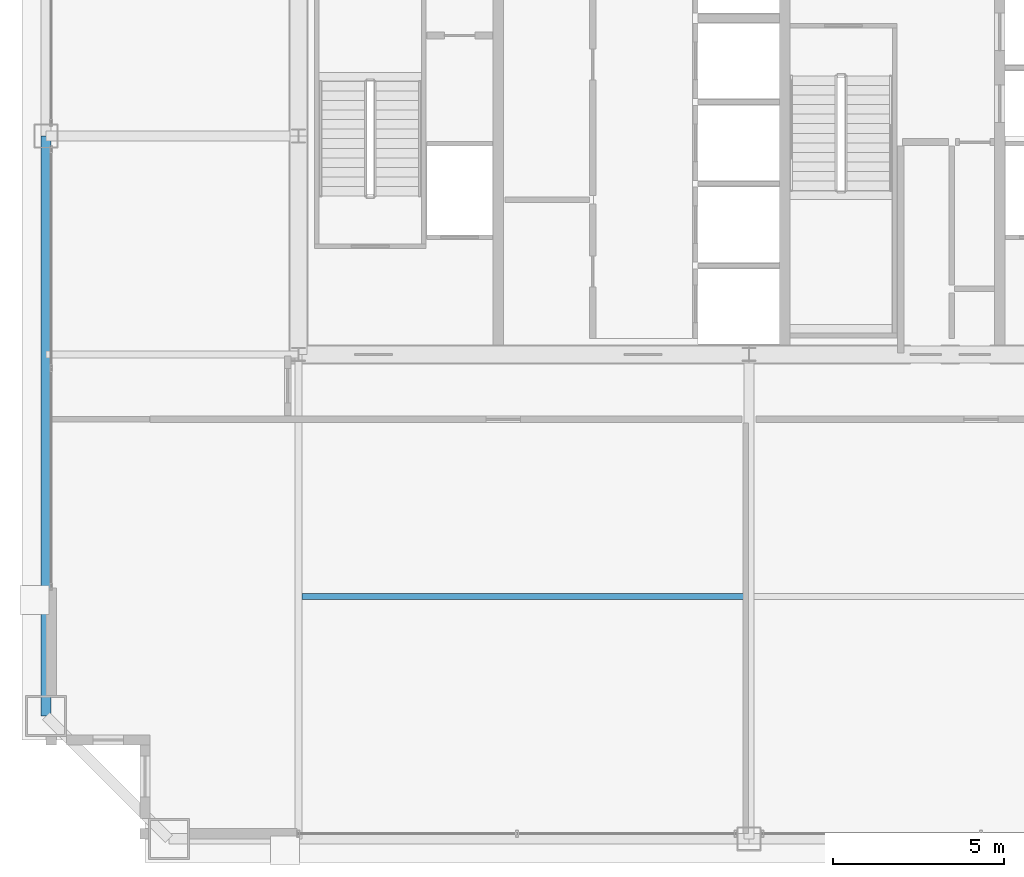
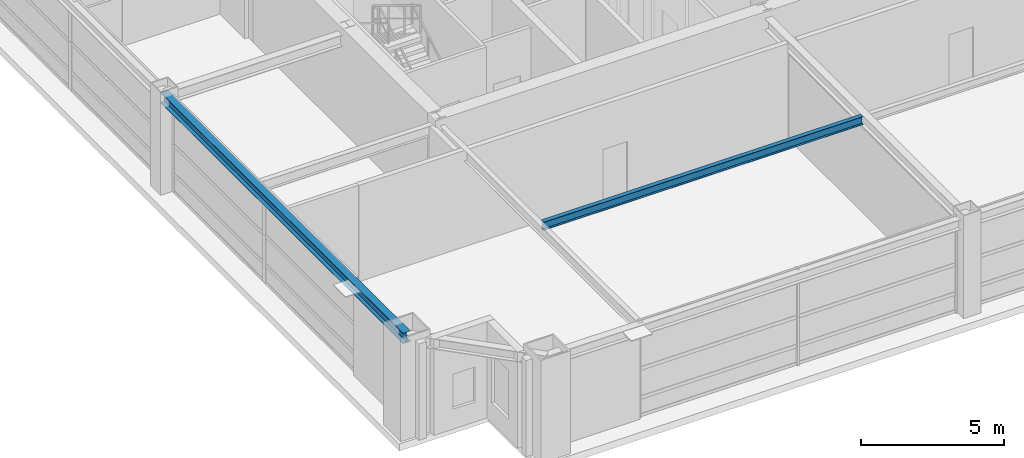
# One storey, part 5 of 26: 2 beams.
"""IFC4 building model written with IfcOpenShell, lengths in metres."""

import ifcopenshell
import ifcopenshell.guid

model = None  # the IFC model being written
_history = None  # IfcOwnerHistory: only IFC2X3 demands one
_inside = {}  # id of a spatial element -> (the spatial element, [elements in it])
_under = {}  # id of a project, library or spatial element -> (it, [spatial elements below it])
_declared = {}  # id of a project -> (the project, [libraries it declares])
_typed = {}  # id of a type object -> (the type object, [elements of that type])
_made_of = {}  # id of a material, layer set ... -> (it, [elements and type objects made of it])


def new_model(schema):
    """Start an empty IFC model of exactly this schema.

    Asked for "IFC4X3", IfcOpenShell would pick the latest addendum, in which some entities
    have other attributes; the version numbers below select the first issue.
    IFC2X3 requires an IfcOwnerHistory on every rooted entity: one is made here for all.
    """
    global model, _history
    if schema == "IFC4X3":
        model = ifcopenshell.file(schema_version=(4, 3, 0, 0))
    else:
        model = ifcopenshell.file(schema=schema)
    _inside.clear()
    _under.clear()
    _declared.clear()
    _typed.clear()
    _made_of.clear()
    _history = None
    if model.schema == "IFC2X3":
        org = make("IfcOrganization", Name="unknown")
        user = make(
            "IfcPersonAndOrganization",
            ThePerson=make("IfcPerson", FamilyName="unknown"),
            TheOrganization=org,
        )
        app = make(
            "IfcApplication",
            ApplicationDeveloper=org,
            Version="unknown",
            ApplicationFullName="unknown",
            ApplicationIdentifier="unknown",
        )
        _history = make(
            "IfcOwnerHistory",
            OwningUser=user,
            OwningApplication=app,
            ChangeAction="ADDED",
            CreationDate=0,
        )
    return model


def make(cls, **values):
    """One entity of the class cls with the attributes given. An attribute that is None is left unset."""
    return model.create_entity(
        cls, **{name: value for name, value in values.items() if value is not None}
    )


def rooted(cls, **values):
    """An entity with a GlobalId (a new one), such as an element, a storey or a relation."""
    return make(cls, GlobalId=ifcopenshell.guid.new(), OwnerHistory=_history, **values)


def si_unit(unit_type, name, prefix=None):
    """IfcSIUnit, for example si_unit("LENGTHUNIT", "METRE", prefix="MILLI")."""
    return make("IfcSIUnit", UnitType=unit_type, Prefix=prefix, Name=name)


def assignment(units):
    """IfcUnitAssignment: the units of a project."""
    return None if units is None else make("IfcUnitAssignment", Units=units)


def point(xyz):
    """IfcCartesianPoint."""
    return None if xyz is None else make("IfcCartesianPoint", Coordinates=xyz)


def direction(xyz):
    """IfcDirection."""
    return None if xyz is None else make("IfcDirection", DirectionRatios=xyz)


def frame(location, z_axis=None, x_axis=None):
    """IfcAxis2Placement3D, a coordinate frame: its origin and axes. An axis left out is left unset."""
    return make(
        "IfcAxis2Placement3D",
        Location=point(location),
        Axis=direction(z_axis),
        RefDirection=direction(x_axis),
    )


def frame_2d(location, x_axis=None):
    """IfcAxis2Placement2D, a coordinate frame in the plane: its origin and x axis."""
    return make(
        "IfcAxis2Placement2D", Location=point(location), RefDirection=direction(x_axis)
    )


def origin():
    """The frame at (0, 0, 0) with its axes left unset."""
    return frame((0.0, 0.0, 0.0))


def origin_2d():
    """The frame at (0, 0) in the plane with its x axis left unset."""
    return frame_2d((0.0, 0.0))


def place(relative_to, where):
    """IfcLocalPlacement: puts the frame where relative to a parent placement (None: the world)."""
    return make(
        "IfcLocalPlacement", PlacementRelTo=relative_to, RelativePlacement=where
    )


def context(
    kind, dimensions, precision=None, world=None, true_north=None, identifier=None
):
    """IfcGeometricRepresentationContext, for example the 3D "Model" context."""
    return make(
        "IfcGeometricRepresentationContext",
        ContextIdentifier=identifier,
        ContextType=kind,
        CoordinateSpaceDimension=dimensions,
        Precision=precision,
        WorldCoordinateSystem=world,
        TrueNorth=true_north,
    )


def subcontext(parent, identifier, kind, view, scale=None):
    """IfcGeometricRepresentationSubContext, for example "Body" below "Model"."""
    return make(
        "IfcGeometricRepresentationSubContext",
        ContextIdentifier=identifier,
        ContextType=kind,
        ParentContext=parent,
        TargetScale=scale,
        TargetView=view,
    )


def project(units=None, contexts=None):
    """IfcProject with its units and contexts."""
    return rooted(
        "IfcProject",
        Name="project",
        RepresentationContexts=contexts,
        UnitsInContext=assignment(units),
    )


def spatial(cls, under=None, at=None, **own):
    """A site, building, storey or space (cls), placed at a placement, below another one or the project."""
    s = rooted(cls, ObjectPlacement=at, **own)
    if under is not None:
        _under.setdefault(under.id(), (under, []))[1].append(s)
    return s


def profile(cls, at=None, kind="AREA", **sizes):
    """A parametric profile (cls). Its sizes go by their IFC names, for example OverallWidth=200.0."""
    return make(cls, ProfileType=kind, Position=at, **sizes)


def i_section(**sizes):
    """IfcIShapeProfileDef."""
    return profile("IfcIShapeProfileDef", **sizes)


def extrude(swept, where, along, depth):
    """IfcExtrudedAreaSolid: the profile swept, set in the frame where, extruded along a direction by depth."""
    return make(
        "IfcExtrudedAreaSolid",
        SweptArea=swept,
        Position=where,
        ExtrudedDirection=direction(along),
        Depth=depth,
    )


def shape(context_of_items, identifier, shape_type, items):
    """IfcShapeRepresentation: the items that make up one representation, for example the "Body"."""
    return make(
        "IfcShapeRepresentation",
        ContextOfItems=context_of_items,
        RepresentationIdentifier=identifier,
        RepresentationType=shape_type,
        Items=items,
    )


def source(mapping_origin, context_of_items, identifier, shape_type, items):
    """IfcRepresentationMap: a shape defined once, which mapped items show again and again."""
    return make(
        "IfcRepresentationMap",
        MappingOrigin=mapping_origin,
        MappedRepresentation=shape(context_of_items, identifier, shape_type, items),
    )


def transform(
    local_origin,
    x_axis=None,
    y_axis=None,
    z_axis=None,
    scale=None,
    scale2=None,
    scale3=None,
    uniform=True,
):
    """IfcCartesianTransformationOperator3D, or its non-uniform kind. x_axis, y_axis, z_axis: its Axis1, 2, 3."""
    if uniform:
        return make(
            "IfcCartesianTransformationOperator3D",
            Axis1=direction(x_axis),
            Axis2=direction(y_axis),
            LocalOrigin=point(local_origin),
            Scale=scale,
            Axis3=direction(z_axis),
        )
    return make(
        "IfcCartesianTransformationOperator3DnonUniform",
        Axis1=direction(x_axis),
        Axis2=direction(y_axis),
        LocalOrigin=point(local_origin),
        Scale=scale,
        Axis3=direction(z_axis),
        Scale2=scale2,
        Scale3=scale3,
    )


def mapped(mapping_source, mapping_target):
    """IfcMappedItem: shows the shape of a source again, moved by a transform."""
    return make(
        "IfcMappedItem", MappingSource=mapping_source, MappingTarget=mapping_target
    )


def material(Name=None, Category=None):
    """IfcMaterial."""
    return make("IfcMaterial", Name=Name, Category=Category)


def material_profile(
    of_material, cross_section, Name=None, Category=None, Priority=None
):
    """IfcMaterialProfile: a cross section and its material."""
    return make(
        "IfcMaterialProfile",
        Name=Name,
        Material=of_material,
        Profile=cross_section,
        Priority=Priority,
        Category=Category,
    )


def profile_set(profiles, Name=None, composite=None):
    """IfcMaterialProfileSet."""
    return make(
        "IfcMaterialProfileSet",
        Name=Name,
        MaterialProfiles=profiles,
        CompositeProfile=composite,
    )


def made_of(thing, what):
    """Note that an element or type object is made of a material, layer set ...; save() writes the relation."""
    if what is not None:
        _made_of.setdefault(what.id(), (what, []))[1].append(thing)
    return thing


def type_object(cls, material=None, **own):
    """A type object (cls), such as IfcWallType, which elements share."""
    return made_of(rooted(cls, **own), material)


def element(
    cls,
    number,
    at=None,
    inside=None,
    cuts=None,
    type_object=None,
    material=None,
    context=None,
    identifier="Body",
    shape_type=None,
    held_by="IfcProductDefinitionShape",
    body=None,
    shapes=None,
    **own,
):
    """One element of the class cls, such as IfcWall. Its Tag is "e" and its number.

    at: its placement. inside: the storey or other place that contains it. cuts: it is an
    opening in that element (IfcRelVoidsElement). A single representation is given by context,
    identifier, shape_type and body (its items); several are given by shapes. held_by: the class
    of the entity that holds the representations. save() writes the other relations.
    """
    e = rooted(cls, Tag="e%d" % number, ObjectPlacement=at, **own)
    if body is not None:
        shapes = [shape(context, identifier, shape_type, body)]
    if shapes is not None:
        e.Representation = make(held_by, Representations=shapes)
    if inside is not None:
        _inside.setdefault(inside.id(), (inside, []))[1].append(e)
    if cuts is not None:
        rooted(
            "IfcRelVoidsElement", RelatingBuildingElement=cuts, RelatedOpeningElement=e
        )
    if type_object is not None:
        _typed.setdefault(type_object.id(), (type_object, []))[1].append(e)
    return made_of(e, material)


def aggregate(whole, parts):
    """IfcRelAggregates: a whole, such as a stair, and the parts it consists of."""
    return rooted("IfcRelAggregates", RelatingObject=whole, RelatedObjects=parts)


def save(model, path):
    """Write the relations noted so far, then the file.

    IfcRelAggregates (storeys below a building ...), IfcRelContainedInSpatialStructure (elements
    in a storey), IfcRelDefinesByType, IfcRelAssociatesMaterial and IfcRelDeclares: one each for
    every whole, place, type object, material and project.
    """
    for whole, parts in _under.values():
        aggregate(whole, parts)
    for where, things in _inside.values():
        rooted(
            "IfcRelContainedInSpatialStructure",
            RelatedElements=things,
            RelatingStructure=where,
        )
    for kind, things in _typed.values():
        rooted("IfcRelDefinesByType", RelatedObjects=things, RelatingType=kind)
    for what, things in _made_of.values():
        rooted("IfcRelAssociatesMaterial", RelatedObjects=things, RelatingMaterial=what)
    for by, libraries in _declared.values():
        rooted("IfcRelDeclares", RelatingContext=by, RelatedDefinitions=libraries)
    model.write(path)


model = new_model("IFC4")

# Units and contexts
model_context = context("Model", 3, precision=1e-05, world=origin(), true_north=direction((0.0, 1.0)))
body_context = subcontext(model_context, "Body", "Model", "MODEL_VIEW")
ifc_project = project(units=[si_unit("LENGTHUNIT", "METRE"), si_unit("AREAUNIT", "SQUARE_METRE"), si_unit("VOLUMEUNIT", "CUBIC_METRE"), si_unit("PLANEANGLEUNIT", "RADIAN"), si_unit("MASSUNIT", "GRAM", prefix="KILO"), si_unit("THERMODYNAMICTEMPERATUREUNIT", "KELVIN"), si_unit("POWERUNIT", "WATT")], contexts=[model_context])

# Site, building, storey
site_placement = place(None, origin())
site = spatial("IfcSite", under=ifc_project, at=site_placement, CompositionType="ELEMENT")
building_placement = place(site_placement, origin())
building = spatial("IfcBuilding", under=site, at=building_placement, Name="Yuzanri Waterfront Tower", CompositionType="ELEMENT")
storey_placement = place(building_placement, frame((0.0, 0.0, 259.10009765625)))
storey = spatial("IfcBuildingStorey", under=building, at=storey_placement, Name="L69", CompositionType="ELEMENT", Elevation=259.10009765625)

# Beams
ifc_material_1 = material(Name="Steel Q355B", Category="steel")
ifc_material_profile_1 = material_profile(ifc_material_1, i_section(OverallWidth=0.300048828125, OverallDepth=0.43994140625, WebThickness=0.010986328125, FlangeThickness=0.01806640625, at=origin_2d()), Name="HM 440x300x11x18")
ifc_profile_set_1 = profile_set([ifc_material_profile_1], Name="Steel Q355B")
beam_type_1 = type_object("IfcBeamType", Name="Perimeter Spandrel Q355B HM 440x300", PredefinedType="SPANDREL", material=ifc_profile_set_1)
shared_shape_1 = source(origin(), body_context, "Body", "SweptSolid", [
    extrude(i_section(OverallWidth=0.300048828125, OverallDepth=0.43994140625, WebThickness=0.010986328125, FlangeThickness=0.01806640625, at=origin_2d()), origin(), (0.0, 0.0, 1.0), 17.0),
])
beam_1_placement = place(storey_placement, frame((16.39990234375, 25.800048828125, 3.89990234375), z_axis=(0.0, -1.0, 0.0), x_axis=(1.0, 0.0, 0.0)))
element("IfcBeam", 1, at=beam_1_placement, inside=storey, type_object=beam_type_1, Name="L69 Perimeter Spandrel W2-W1", PredefinedType="SPANDREL", context=body_context, shape_type="MappedRepresentation", body=[
    mapped(shared_shape_1, transform((0.0, 0.0, 0.0), scale=1.0)),
])
ifc_material_2 = material(Name="Steel Q355B", Category="steel")
ifc_material_profile_2 = material_profile(ifc_material_2, i_section(OverallWidth=0.175048828125, OverallDepth=0.35009765625, WebThickness=0.007080078125, FlangeThickness=0.010986328125, at=origin_2d()), Name="HN 350x175x7x11")
ifc_profile_set_2 = profile_set([ifc_material_profile_2], Name="Steel Q355B")
beam_type_2 = type_object("IfcBeamType", Name="Floor Joist Q355B HN 350x175", PredefinedType="JOIST", material=ifc_profile_set_2)
shared_shape_2 = source(origin(), body_context, "Body", "SweptSolid", [
    extrude(i_section(OverallWidth=0.175048828125, OverallDepth=0.35009765625, WebThickness=0.007080078125, FlangeThickness=0.010986328125, at=origin_2d()), origin(), (0.0, 0.0, 1.0), 12.9501953125),
])
beam_2_placement = place(storey_placement, frame((23.89990234375, 12.300048828125, 3.94482421875), z_axis=(1.0, 0.0, 0.0), x_axis=(0.0, 1.0, 0.0)))
element("IfcBeam", 2, at=beam_2_placement, inside=storey, type_object=beam_type_2, Name="L69 South Bay Joist W", PredefinedType="JOIST", context=body_context, shape_type="MappedRepresentation", body=[
    mapped(shared_shape_2, transform((0.0, 0.0, 0.0), scale=1.0)),
])

save(model, "model.ifc")
